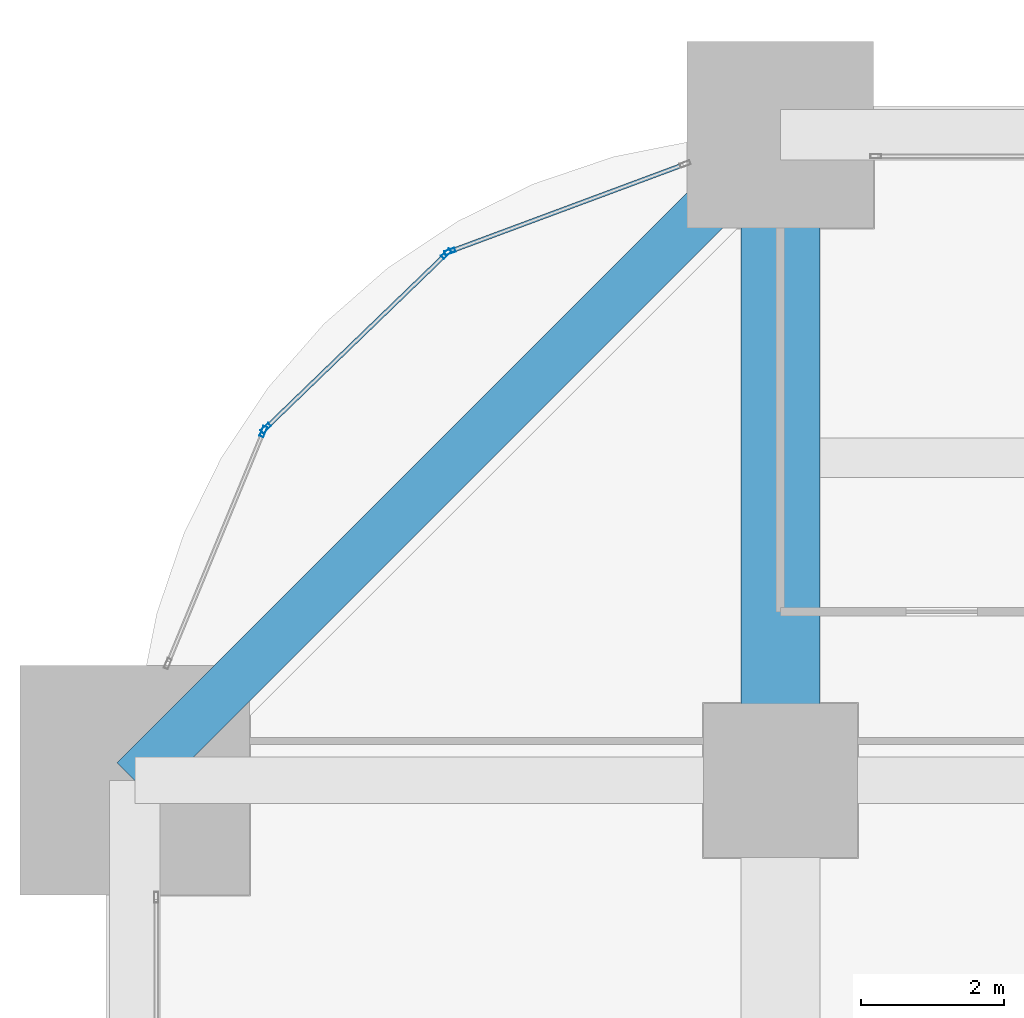
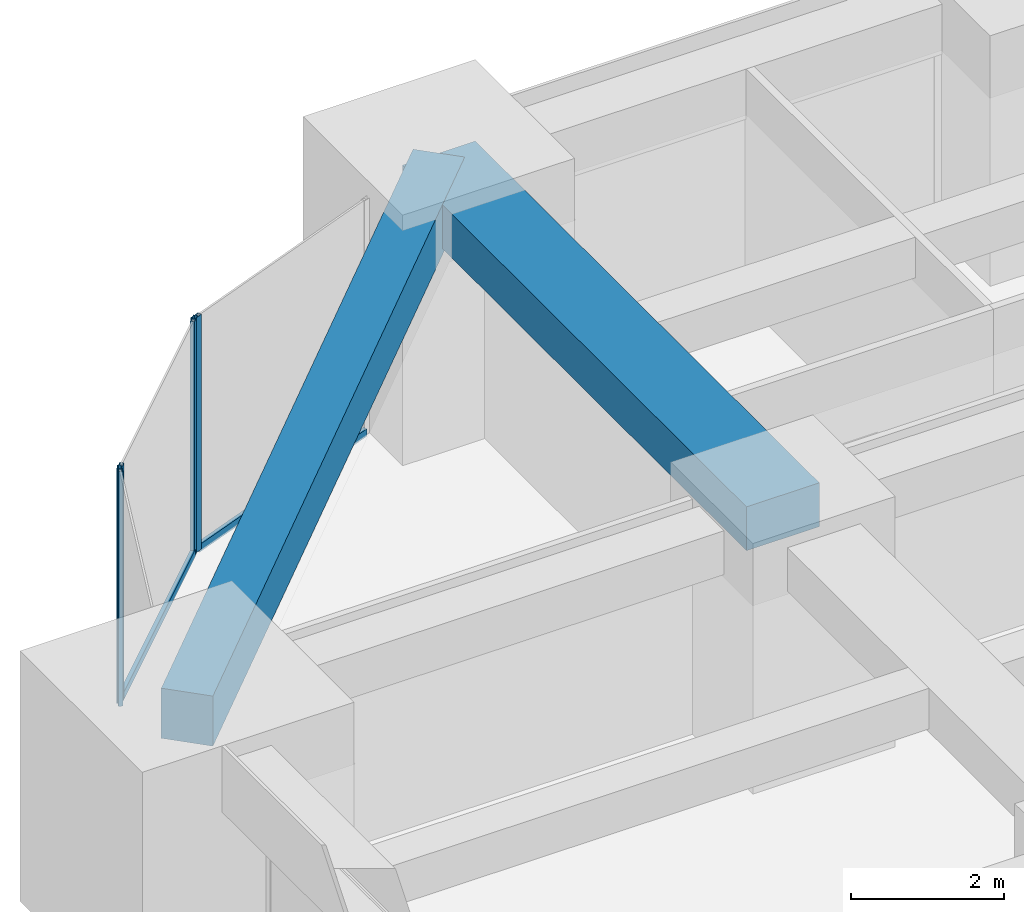
# One storey, part 26 of 41: 6 members, 2 beams, 3 elements without a shape of their own.
"""IFC4 building model written with IfcOpenShell, lengths in metres."""

from ifc_helpers import new_model, si_unit, direction, frame, origin, origin_2d, place, context, subcontext, project, spatial, rectangle, hollow_rectangle, extrude, material, material_profile, profile_set, type_object, element, aggregate, save


model = new_model("IFC4")

# Units and contexts
model_context = context("Model", 3, precision=1e-05, world=origin(), true_north=direction((0.0, 1.0)))
body_context = subcontext(model_context, "Body", "Model", "MODEL_VIEW")
ifc_project = project(units=[si_unit("LENGTHUNIT", "METRE"), si_unit("AREAUNIT", "SQUARE_METRE"), si_unit("VOLUMEUNIT", "CUBIC_METRE"), si_unit("PLANEANGLEUNIT", "RADIAN"), si_unit("MASSUNIT", "GRAM", prefix="KILO")], contexts=[model_context])

# Site, building, storey
site_placement = place(None, origin())
site = spatial("IfcSite", under=ifc_project, at=site_placement, CompositionType="ELEMENT")
building_placement = place(site_placement, origin())
building = spatial("IfcBuilding", under=site, at=building_placement, Name="Zorevar Civic Tower", CompositionType="ELEMENT")
storey_placement = place(building_placement, frame((0.0, 0.0, 89.0)))
storey = spatial("IfcBuildingStorey", under=building, at=storey_placement, Name="L21", CompositionType="ELEMENT", Elevation=89.0)

# Beam
ifc_material_1 = material(Name="Concrete C50/60", Category="concrete")
ifc_material_profile_1 = material_profile(ifc_material_1, rectangle(XDim=1.10009765625, YDim=0.699951171875, at=origin_2d()), Name="RC 1100x700")
ifc_profile_set_1 = profile_set([ifc_material_profile_1], Name="Concrete C50/60")
beam_type_1 = type_object("IfcBeamType", Name="Beam RC 1100x700", PredefinedType="BEAM", material=ifc_profile_set_1)
beam_1_placement = place(storey_placement, frame((9.0, 36.0, 3.39990234375), z_axis=(0.0, 1.0, 0.0), x_axis=(-1.0, 0.0, 0.0)))
element("IfcBeam", 1, at=beam_1_placement, inside=storey, type_object=beam_type_1, Name="Girder L22", PredefinedType="BEAM", context=body_context, shape_type="SweptSolid", body=[
    extrude(rectangle(XDim=1.10009765625, YDim=0.699951171875, at=origin_2d()), origin(), (0.0, 0.0, 1.0), 9.0),
])

# Curtain wall, member
ifc_material_2 = material(Name="Dark grey solar-control glass in black aluminium frame", Category="aluminium")
curtain_wall_type = type_object("IfcCurtainWallType", Name="Curtain wall CW3 mid zone", PredefinedType="NOTDEFINED", material=ifc_material_2)
curtain_wall_1_placement = place(storey_placement, origin())
curtain_wall_1 = element("IfcCurtainWall", 2, at=curtain_wall_1_placement, inside=storey, type_object=curtain_wall_type, Name="CW3 L21", PredefinedType="NOTDEFINED")
ifc_material_3 = material(Name="Aluminium, black anodised", Category="aluminium")
ifc_material_profile_2 = material_profile(ifc_material_3, hollow_rectangle(XDim=0.06005859375, YDim=0.14990234375, WallThickness=0.00390625, at=origin_2d()), Name="AL 150x60x4")
ifc_profile_set_2 = profile_set([ifc_material_profile_2], Name="Aluminium, black anodised")
member_type_1 = type_object("IfcMemberType", Name="CW3 mullion AL 150x60x4", PredefinedType="MULLION", material=ifc_profile_set_2)
member_1_placement = place(storey_placement, frame((4.392578125, 43.37255859375, 0.0), z_axis=(0.0, 0.0, 1.0), x_axis=(0.348499699061, -0.937308892391, 0.0)))
member_1 = element("IfcMember", 3, at=member_1_placement, type_object=member_type_1, Name="CW3 mullion 2", PredefinedType="MULLION", context=body_context, shape_type="SweptSolid", body=[
    extrude(hollow_rectangle(XDim=0.06005859375, YDim=0.14990234375, WallThickness=0.00390625, at=origin_2d()), origin(), (0.0, 0.0, 1.0), 3.75),
])

# Curtain wall, members
curtain_wall_2_placement = place(storey_placement, origin())
curtain_wall_2 = element("IfcCurtainWall", 4, at=curtain_wall_2_placement, inside=storey, type_object=curtain_wall_type, Name="CW3 L21", PredefinedType="NOTDEFINED")
member_2_placement = place(storey_placement, frame((4.3427734375, 43.34130859375, 0.0), z_axis=(0.0, 0.0, 1.0), x_axis=(0.69463423557, -0.719363106348, 0.0)))
member_2 = element("IfcMember", 5, at=member_2_placement, type_object=member_type_1, Name="CW3 mullion 1", PredefinedType="MULLION", context=body_context, shape_type="SweptSolid", body=[
    extrude(hollow_rectangle(XDim=0.06005859375, YDim=0.14990234375, WallThickness=0.00390625, at=origin_2d()), origin(), (0.0, 0.0, 1.0), 3.75),
])
member_3_placement = place(storey_placement, frame((1.826171875, 40.910888671875, 0.0), z_axis=(0.0, 0.0, 1.0), x_axis=(0.69463423557, -0.719363106348, 0.0)))
member_3 = element("IfcMember", 6, at=member_3_placement, type_object=member_type_1, Name="CW3 mullion 2", PredefinedType="MULLION", context=body_context, shape_type="SweptSolid", body=[
    extrude(hollow_rectangle(XDim=0.06005859375, YDim=0.14990234375, WallThickness=0.00390625, at=origin_2d()), origin(), (0.0, 0.0, 1.0), 3.75),
])

# Curtain wall, member
curtain_wall_3_placement = place(storey_placement, origin())
curtain_wall_3 = element("IfcCurtainWall", 7, at=curtain_wall_3_placement, inside=storey, type_object=curtain_wall_type, Name="CW3 L21", PredefinedType="NOTDEFINED")
member_4_placement = place(storey_placement, frame((1.79296875, 40.8623046875, 0.0), z_axis=(0.0, 0.0, 1.0), x_axis=(0.924549780803, -0.381061284858, 0.0)))
member_4 = element("IfcMember", 8, at=member_4_placement, type_object=member_type_1, Name="CW3 mullion 1", PredefinedType="MULLION", context=body_context, shape_type="SweptSolid", body=[
    extrude(hollow_rectangle(XDim=0.06005859375, YDim=0.14990234375, WallThickness=0.00390625, at=origin_2d()), origin(), (0.0, 0.0, 1.0), 3.75),
])
aggregate(curtain_wall_3, [member_4])

# Member
ifc_material_4 = material(Name="Aluminium, black anodised", Category="aluminium")
ifc_material_profile_3 = material_profile(ifc_material_4, hollow_rectangle(XDim=0.06005859375, YDim=0.1201171875, WallThickness=0.0029296875, at=origin_2d()), Name="AL 120x60x3")
ifc_profile_set_3 = profile_set([ifc_material_profile_3], Name="Aluminium, black anodised")
member_type_2 = type_object("IfcMemberType", Name="CW3 transom AL 120x60x3", PredefinedType="USERDEFINED", material=ifc_profile_set_3)
member_5_placement = place(storey_placement, frame((7.643798828125, 44.581298828125, 0.030029296875), z_axis=(-0.93732326685, -0.348461035729, 0.0), x_axis=(0.348461035729, -0.93732326685, 0.0)))
member_5 = element("IfcMember", 9, at=member_5_placement, type_object=member_type_2, Name="CW3 sill transom", ObjectType="TRANSOM", PredefinedType="USERDEFINED", context=body_context, shape_type="SweptSolid", body=[
    extrude(hollow_rectangle(XDim=0.06005859375, YDim=0.1201171875, WallThickness=0.0029296875, at=origin_2d()), origin(), (0.0, 0.0, 1.0), 3.438720703125),
])

aggregate(curtain_wall_1, [member_1, member_5])

member_6_placement = place(storey_placement, frame((4.3212890625, 43.3203125, 0.030029296875), z_axis=(-0.719388002952, -0.694608451725, 0.0), x_axis=(0.694608451725, -0.719388002952, 0.0)))
member_6 = element("IfcMember", 10, at=member_6_placement, type_object=member_type_2, Name="CW3 sill transom", ObjectType="TRANSOM", PredefinedType="USERDEFINED", context=body_context, shape_type="SweptSolid", body=[
    extrude(hollow_rectangle(XDim=0.06005859375, YDim=0.1201171875, WallThickness=0.0029296875, at=origin_2d()), origin(), (0.0, 0.0, 1.0), 3.4384765625),
])

aggregate(curtain_wall_2, [member_2, member_3, member_6])

# Beam
ifc_material_5 = material(Name="Concrete C50/60", Category="concrete")
ifc_material_profile_4 = material_profile(ifc_material_5, rectangle(XDim=0.699951171875, YDim=0.800048828125, at=origin_2d()), Name="RC 700x800")
ifc_profile_set_4 = profile_set([ifc_material_profile_4], Name="Concrete C50/60")
beam_type_2 = type_object("IfcBeamType", Name="Edge beam RC 700x800", PredefinedType="SPANDREL", material=ifc_profile_set_4)
beam_2_placement = place(storey_placement, frame((9.0, 45.0, 3.35009765625), z_axis=(-0.707106781187, -0.707106781187, 0.0), x_axis=(0.707106781187, -0.707106781187, 0.0)))
element("IfcBeam", 11, at=beam_2_placement, inside=storey, type_object=beam_type_2, Name="Corner edge beam L22", PredefinedType="SPANDREL", context=body_context, shape_type="SweptSolid", body=[
    extrude(rectangle(XDim=0.699951171875, YDim=0.800048828125, at=origin_2d()), origin(), (0.0, 0.0, 1.0), 12.72802734375),
])

save(model, "model.ifc")
